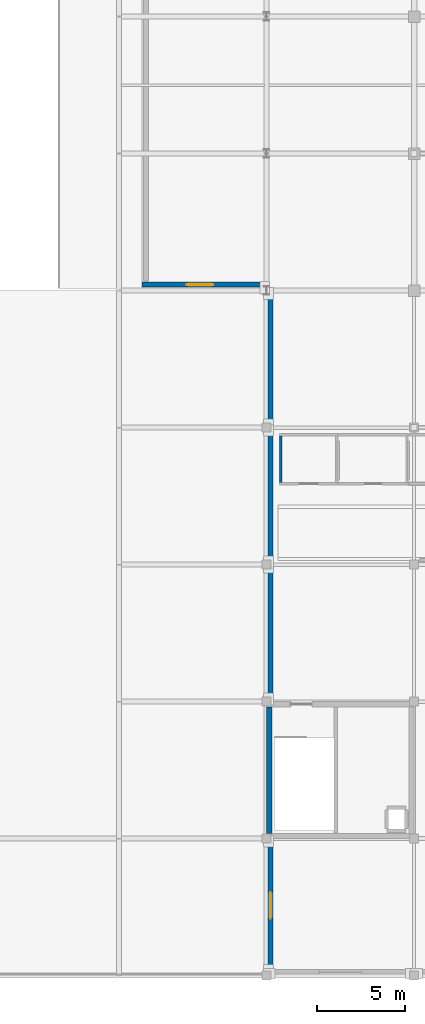
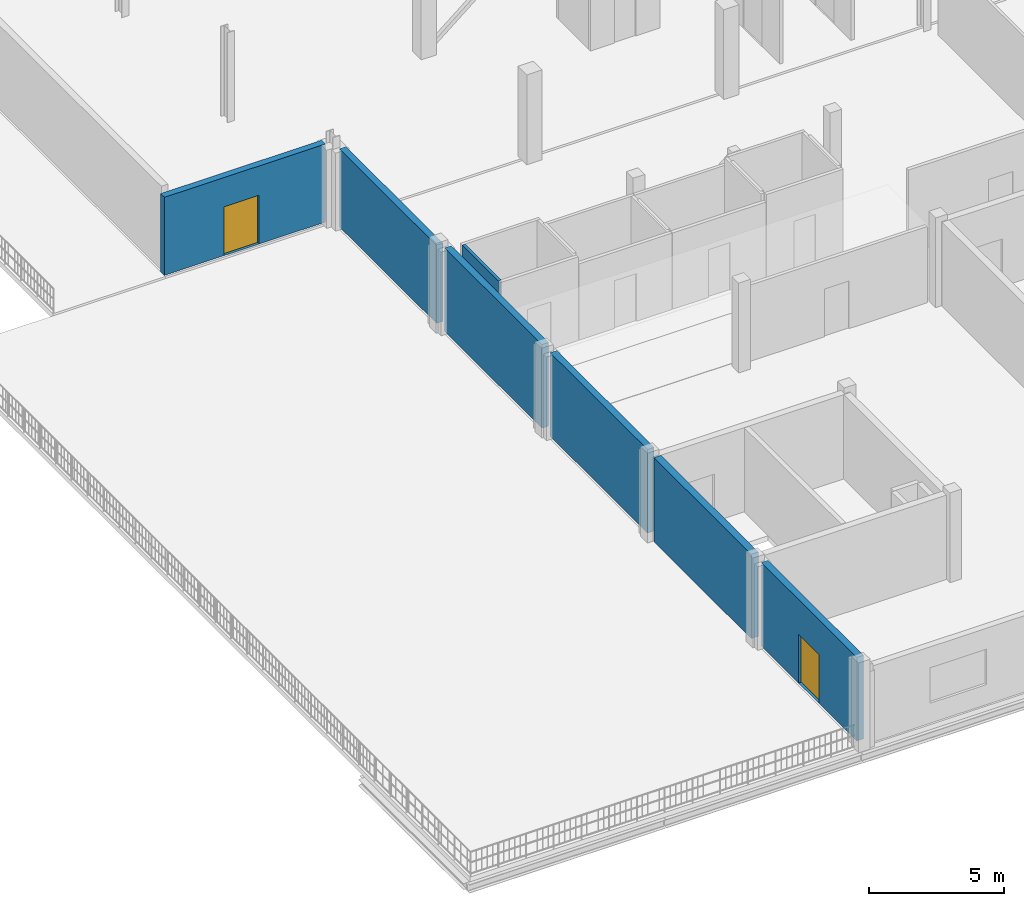
# One storey, part 26 of 41: 7 walls, 2 doors, 2 openings.
"""IFC4 building model written with IfcOpenShell, lengths in metres."""

from ifc_helpers import new_model, si_unit, direction, frame, frame_2d, origin, place, context, subcontext, project, spatial, rectangle, extrude, material, layer, layer_set, type_object, element, fill, save


model = new_model("IFC4")

# Units and contexts
model_context = context("Model", 3, precision=1e-05, world=origin(), true_north=direction((0.0, 1.0)))
body_context = subcontext(model_context, "Body", "Model", "MODEL_VIEW")
ifc_project = project(units=[si_unit("LENGTHUNIT", "METRE"), si_unit("AREAUNIT", "SQUARE_METRE"), si_unit("VOLUMEUNIT", "CUBIC_METRE"), si_unit("PLANEANGLEUNIT", "RADIAN"), si_unit("MASSUNIT", "GRAM", prefix="KILO")], contexts=[model_context])

# Site, building, storey
site_placement = place(None, origin())
site = spatial("IfcSite", under=ifc_project, at=site_placement, CompositionType="ELEMENT")
building_placement = place(site_placement, origin())
building = spatial("IfcBuilding", under=site, at=building_placement, Name="Nabrawat Pavilion Hospital", CompositionType="ELEMENT")
storey_placement = place(building_placement, frame((0.0, 0.0, 18.89990234375)))
storey = spatial("IfcBuildingStorey", under=building, at=storey_placement, Name="L04", CompositionType="ELEMENT", Elevation=18.89990234375)

# Wall
ifc_material_1 = material(Name="Cement Board on Steel Stud", Category="steel")
ifc_layer_1 = layer(ifc_material_1, 0.1298828125, Name="Cement Board on Steel Stud")
ifc_layer_set_1 = layer_set([ifc_layer_1], Name="Cement Board on Steel Stud")
wall_type_1 = type_object("IfcWallType", Name="En-Suite Moisture-Resistant Partition 130", PredefinedType="PARTITIONING", material=ifc_layer_set_1)
wall_1_placement = place(storey_placement, frame((143.60009765625, 28.06494140625, 0.0), z_axis=(0.0, 0.0, 1.0), x_axis=(0.0, 1.0, 0.0)))
element("IfcWall", 1, at=wall_1_placement, inside=storey, type_object=wall_type_1, Name="L04 L04 Accessible WC West Partition", PredefinedType="PARTITIONING", context=body_context, shape_type="SweptSolid", body=[
    extrude(rectangle(XDim=2.670166015625, YDim=0.1298828125, at=frame_2d((1.3349609375, 0.0))), origin(), (0.0, 0.0, 1.0), 3.77001953125),
])

# Wall, opening, door
ifc_material_2 = material(Name="Precast concrete C40/50", Category="concrete")
ifc_layer_2 = layer(ifc_material_2, 0.280029296875, Name="Precast concrete C40/50")
ifc_layer_set_2 = layer_set([ifc_layer_2], Name="Precast concrete C40/50")
wall_type_2 = type_object("IfcWallType", Name="Insulated Precast Facade Wall 280", PredefinedType="SOLIDWALL", material=ifc_layer_set_2)
wall_2_placement = place(storey_placement, frame((135.719970703125, 39.340087890625, 0.0), z_axis=(0.0, 0.0, 1.0), x_axis=(1.0, 0.0, 0.0)))
wall_2 = element("IfcWall", 2, at=wall_2_placement, inside=storey, type_object=wall_type_2, Name="L04 Insulated Precast Facade Wall 280 352", PredefinedType="SOLIDWALL", context=body_context, shape_type="SweptSolid", body=[
    extrude(rectangle(XDim=6.880126953125, YDim=0.280029296875, at=frame_2d((3.43994140625, 0.0))), origin(), (0.0, 0.0, 1.0), 3.52001953125),
])
opening_1_placement = place(wall_2_placement, frame((2.5400390625, 0.0, 0.0)))
opening_1 = element("IfcOpeningElement", 3, at=opening_1_placement, cuts=wall_2, Name="Opening ED-TER-150", PredefinedType="OPENING", context=body_context, shape_type="SweptSolid", body=[
    extrude(rectangle(XDim=1.5, YDim=2.199951171875, at=frame_2d((0.75, 1.10009765625))), frame((0.0, 0.14990234375, 0.0), z_axis=(0.0, -1.0, 0.0), x_axis=(1.0, 0.0, 0.0)), (0.0, 0.0, 1.0), 0.300048828125),
])
ifc_material_3 = material(Name="Powder-Coated Galvanised Steel and Safety Glass", Category="steel")
door_type = type_object("IfcDoorType", Name="Clinical Recovery Terrace Double Door 1500x2200", OperationType="NOTDEFINED", PredefinedType="DOOR", material=ifc_material_3)
door_1_placement = place(opening_1_placement, frame((1.5, 0.0, 0.0), z_axis=(0.0, 0.0, 1.0), x_axis=(-1.0, 0.0, 0.0)))
door_1 = element("IfcDoor", 4, at=door_1_placement, inside=storey, type_object=door_type, Name="L04 Clinical Recovery Terrace Door T_L04_V5_WEST", OperationType="DOUBLE_DOOR_SINGLE_SWING", OverallHeight=2.199951171875, OverallWidth=1.5, PredefinedType="DOOR", context=body_context, shape_type="SweptSolid", body=[
    extrude(rectangle(XDim=1.5, YDim=2.199951171875, at=frame_2d((0.75, 1.10009765625))), frame((0.0, 0.02490234375, 0.0), z_axis=(0.0, -1.0, 0.0), x_axis=(1.0, 0.0, 0.0)), (0.0, 0.0, 1.0), 0.050048828125),
])
fill(opening_1, door_1)

wall_3_placement = place(storey_placement, frame((143.02001953125, 0.43994140625, 0.0), z_axis=(0.0, 0.0, 1.0), x_axis=(0.0, 1.0, 0.0)))
wall_3 = element("IfcWall", 5, at=wall_3_placement, inside=storey, type_object=wall_type_2, Name="L04 Insulated Precast Facade Wall 280 359", PredefinedType="SOLIDWALL", context=body_context, shape_type="SweptSolid", body=[
    extrude(rectangle(XDim=7.06005859375, YDim=0.280029296875, at=frame_2d((3.530029296875, 0.0))), origin(), (0.0, 0.0, 1.0), 3.77001953125),
])
opening_2_placement = place(wall_3_placement, frame((2.81005859375, 0.0, 0.0)))
opening_2 = element("IfcOpeningElement", 6, at=opening_2_placement, cuts=wall_3, Name="Opening ED-TER-150", PredefinedType="OPENING", context=body_context, shape_type="SweptSolid", body=[
    extrude(rectangle(XDim=1.5, YDim=2.199951171875, at=frame_2d((0.75, 1.10009765625))), frame((0.0, 0.14990234375, 0.0), z_axis=(0.0, -1.0, 0.0), x_axis=(1.0, 0.0, 0.0)), (0.0, 0.0, 1.0), 0.300048828125),
])
door_2_placement = place(opening_2_placement, origin())
door_2 = element("IfcDoor", 7, at=door_2_placement, inside=storey, type_object=door_type, Name="L04 Clinical Recovery Terrace Door T_L04_V5_WEST", OperationType="DOUBLE_DOOR_SINGLE_SWING", OverallHeight=2.199951171875, OverallWidth=1.5, PredefinedType="DOOR", context=body_context, shape_type="SweptSolid", body=[
    extrude(rectangle(XDim=1.5, YDim=2.199951171875, at=frame_2d((0.75, 1.10009765625))), frame((0.0, 0.02490234375, 0.0), z_axis=(0.0, -1.0, 0.0), x_axis=(1.0, 0.0, 0.0)), (0.0, 0.0, 1.0), 0.050048828125),
])
fill(opening_2, door_2)

# Walls
wall_4_placement = place(storey_placement, frame((143.02001953125, 15.89990234375, 0.0), z_axis=(0.0, 0.0, 1.0), x_axis=(0.0, 1.0, 0.0)))
element("IfcWall", 8, at=wall_4_placement, inside=storey, type_object=wall_type_2, Name="L04 Insulated Precast Facade Wall 280 360", PredefinedType="SOLIDWALL", context=body_context, shape_type="SweptSolid", body=[
    extrude(rectangle(XDim=7.2001953125, YDim=0.280029296875, at=frame_2d((3.60009765625, 0.0))), origin(), (0.0, 0.0, 1.0), 3.77001953125),
])
wall_5_placement = place(storey_placement, frame((143.02001953125, 23.699951171875, 0.0), z_axis=(0.0, 0.0, 1.0), x_axis=(0.0, 1.0, 0.0)))
element("IfcWall", 9, at=wall_5_placement, inside=storey, type_object=wall_type_2, Name="L04 Insulated Precast Facade Wall 280 361", PredefinedType="SOLIDWALL", context=body_context, shape_type="SweptSolid", body=[
    extrude(rectangle(XDim=7.199951171875, YDim=0.280029296875, at=frame_2d((3.60009765625, 0.0))), origin(), (0.0, 0.0, 1.0), 3.77001953125),
])
wall_6_placement = place(storey_placement, frame((143.02001953125, 31.5, 0.0), z_axis=(0.0, 0.0, 1.0), x_axis=(0.0, 1.0, 0.0)))
element("IfcWall", 10, at=wall_6_placement, inside=storey, type_object=wall_type_2, Name="L04 Insulated Precast Facade Wall 280 362", PredefinedType="SOLIDWALL", context=body_context, shape_type="SweptSolid", body=[
    extrude(rectangle(XDim=7.179931640625, YDim=0.280029296875, at=frame_2d((3.58984375, 0.0))), origin(), (0.0, 0.0, 1.0), 3.52001953125),
])
ifc_material_4 = material(Name="Concrete C40/50", Category="concrete")
ifc_layer_3 = layer(ifc_material_4, 0.300048828125, Name="Concrete C40/50")
ifc_layer_set_3 = layer_set([ifc_layer_3], Name="Concrete C40/50")
wall_type_3 = type_object("IfcWallType", Name="Reinforced Concrete Core Shear Wall 300", PredefinedType="SHEAR", material=ifc_layer_set_3)
wall_7_placement = place(storey_placement, frame((142.949951171875, 8.10009765625, 0.0), z_axis=(0.0, 0.0, 1.0), x_axis=(0.0, 1.0, 0.0)))
element("IfcWall", 11, at=wall_7_placement, inside=storey, type_object=wall_type_3, Name="L04 CORE-8 West Core Shear Wall", PredefinedType="SHEAR", context=body_context, shape_type="SweptSolid", body=[
    extrude(rectangle(XDim=7.199951171875, YDim=0.300048828125, at=frame_2d((3.60009765625, 0.0))), origin(), (0.0, 0.0, 1.0), 3.800048828125),
])

save(model, "model.ifc")
